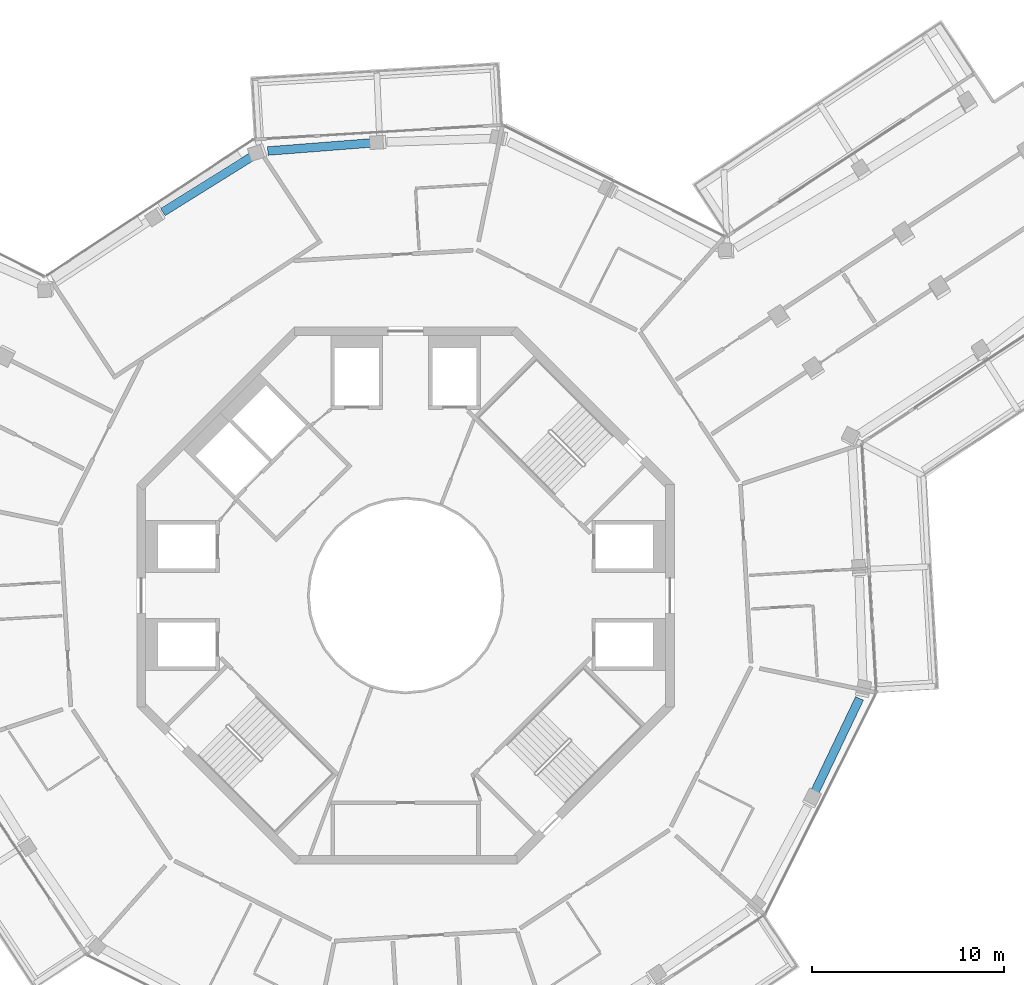
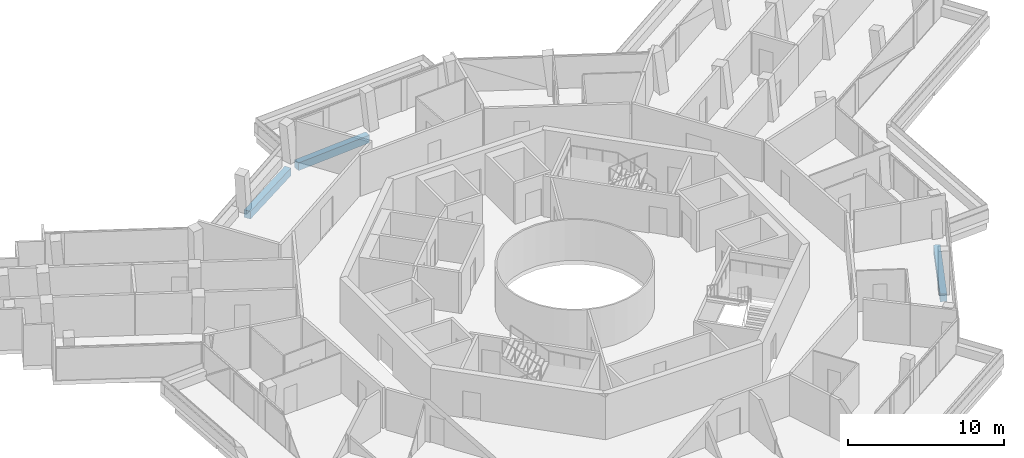
# One storey, part 6 of 26: 3 beams.
"""IFC4 building model written with IfcOpenShell, lengths in metres."""

from ifc_helpers import new_model, si_unit, direction, frame, origin, origin_2d, place, context, subcontext, project, spatial, rectangle, extrude, material, material_profile, profile_set, type_object, element, save


model = new_model("IFC4")

# Units and contexts
model_context = context("Model", 3, precision=1e-05, world=origin(), true_north=direction((0.0, 1.0)))
body_context = subcontext(model_context, "Body", "Model", "MODEL_VIEW")
ifc_project = project(units=[si_unit("LENGTHUNIT", "METRE"), si_unit("AREAUNIT", "SQUARE_METRE"), si_unit("VOLUMEUNIT", "CUBIC_METRE"), si_unit("PLANEANGLEUNIT", "RADIAN"), si_unit("MASSUNIT", "GRAM", prefix="KILO")], contexts=[model_context])

# Site, building, storey
site_placement = place(None, origin())
site = spatial("IfcSite", under=ifc_project, at=site_placement, CompositionType="ELEMENT")
building_placement = place(site_placement, origin())
building = spatial("IfcBuilding", under=site, at=building_placement, Name="Verdalira Terraces Hotel", CompositionType="ELEMENT")
storey_placement = place(building_placement, frame((0.0, 0.0, 291.5)))
storey = spatial("IfcBuildingStorey", under=building, at=storey_placement, Name="L72", CompositionType="ELEMENT", Elevation=291.5)

# Beams
ifc_material = material(Name="Concrete C40", Category="concrete")
ifc_material_profile = material_profile(ifc_material, rectangle(XDim=0.449951, YDim=0.600098, at=origin_2d()), Name="RC 450X600")
ifc_profile_set = profile_set([ifc_material_profile], Name="Concrete C40")
beam_type = type_object("IfcBeamType", Name="Spandrel beam RC 450X600 C40", PredefinedType="SPANDREL", material=ifc_profile_set)
for number, where, z_axis, x_axis, name in (
    (1, (21.271484, -10.342529, -0.610107), (0.431081512, 0.902312989, 0.0), (-0.902312989, 0.431081512, 0.0), "Spandrel beam B16"),
    (2, (-1.678955, 23.593018, -0.610107), (-0.996963536, -0.077869812, 0.0), (0.077869812, -0.996963536, 0.0), "Spandrel beam B27"),
):
    element("IfcBeam", number, at=place(storey_placement, frame(where, z_axis=z_axis, x_axis=x_axis)), inside=storey, type_object=beam_type, Name=name, PredefinedType="SPANDREL", context=body_context, shape_type="SweptSolid", body=[
        extrude(rectangle(XDim=0.449951, YDim=0.600098, at=origin_2d()), origin(), (0.0, 0.0, 1.0), 5.52124),
    ])
beam_placement = place(storey_placement, frame((-7.963623, 22.904785, -0.610107), z_axis=(-0.848801852, -0.528711089, 0.0), x_axis=(0.528711089, -0.848801852, 0.0)))
element("IfcBeam", 3, at=beam_placement, inside=storey, type_object=beam_type, Name="Spandrel beam B28", PredefinedType="SPANDREL", context=body_context, shape_type="SweptSolid", body=[
    extrude(rectangle(XDim=0.449951, YDim=0.600098, at=origin_2d()), origin(), (0.0, 0.0, 1.0), 5.523682),
])

save(model, "model.ifc")
